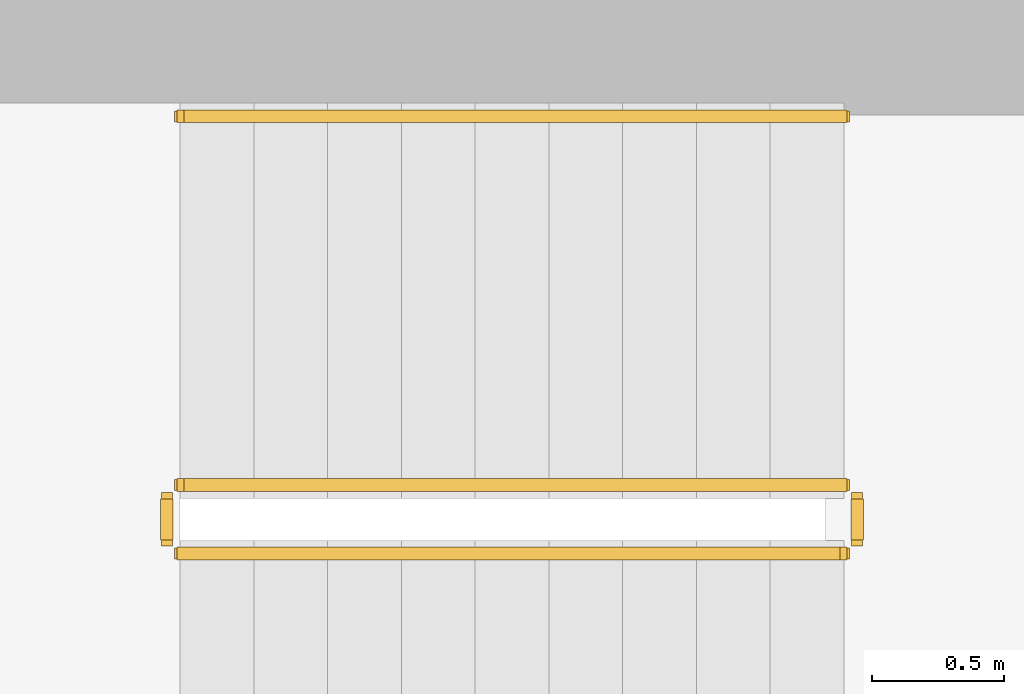
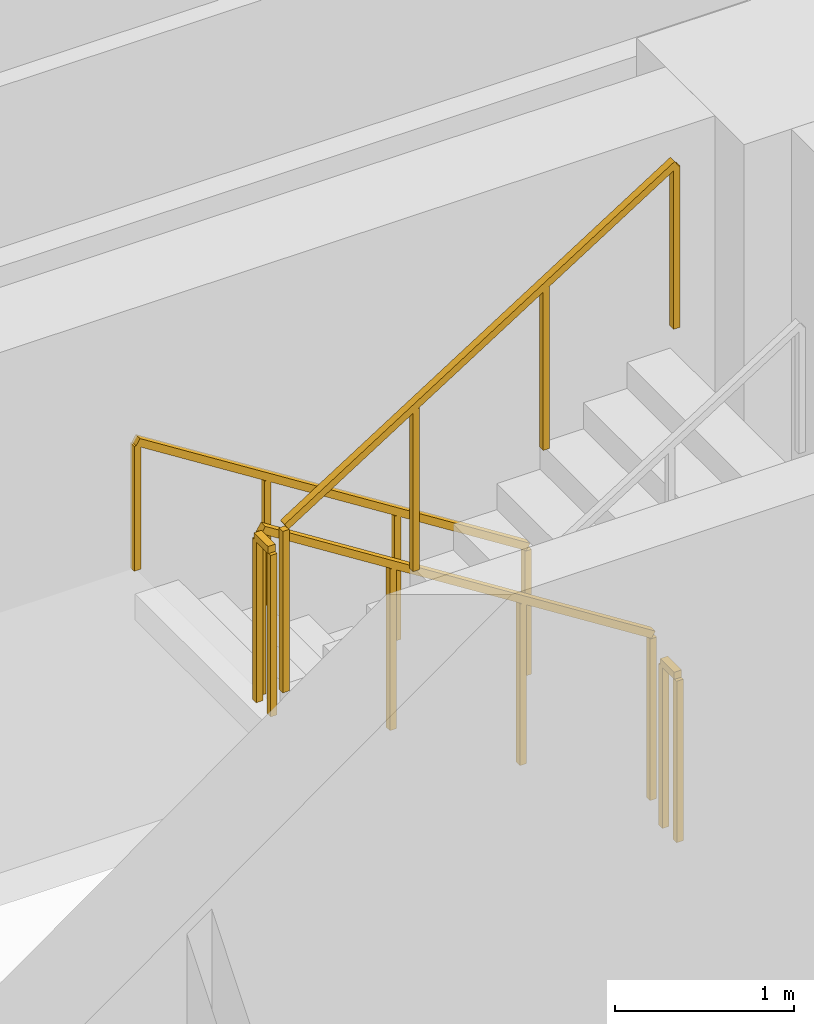
# One storey, part 11 of 12: 5 railings.
"""IFC4 building model written with IfcOpenShell, lengths in metres."""

from ifc_helpers import new_model, si_unit, direction, frame, origin, origin_2d, place, context, subcontext, project, spatial, rectangle, extrude, material, type_object, element, save


model = new_model("IFC4")

# Units and contexts
model_context = context("Model", 3, precision=1e-05, world=origin(), true_north=direction((0.0, 1.0)))
body_context = subcontext(model_context, "Body", "Model", "MODEL_VIEW")
ifc_project = project(units=[si_unit("LENGTHUNIT", "METRE"), si_unit("AREAUNIT", "SQUARE_METRE"), si_unit("VOLUMEUNIT", "CUBIC_METRE"), si_unit("PLANEANGLEUNIT", "RADIAN"), si_unit("MASSUNIT", "GRAM", prefix="KILO")], contexts=[model_context])

# Site, building, storey
site_placement = place(None, origin())
site = spatial("IfcSite", under=ifc_project, at=site_placement, CompositionType="ELEMENT")
building_placement = place(site_placement, origin())
building = spatial("IfcBuilding", under=site, at=building_placement, Name="Zarnavel Station Tower", CompositionType="ELEMENT")
storey_placement = place(building_placement, frame((0.0, 0.0, 173.199951171875)))
storey = spatial("IfcBuildingStorey", under=building, at=storey_placement, Name="L47", CompositionType="ELEMENT", Elevation=173.199951171875)

# Railings
ifc_material_1 = material(Name="Painted Steel S355J2 Balustrade", Category="steel")
railing_type_1 = type_object("IfcRailingType", Name="GR_INT_1150", PredefinedType="GUARDRAIL", material=ifc_material_1)
railing_1_placement = place(storey_placement, frame((19.47998046875, 35.3701171875, 0.177490234375)))
element("IfcRailing", 1, at=railing_1_placement, inside=storey, type_object=railing_type_1, Name="L47 ST1 stair guard 1", PredefinedType="GUARDRAIL", context=body_context, shape_type="SweptSolid", body=[
    extrude(rectangle(XDim=0.048095703125, YDim=0.048095703125, at=origin_2d()), frame((-0.001708984375, 0.0, 1.126953125), z_axis=(-0.84456994832, 0.0, 0.535445237532), x_axis=(0.0, -1.0, 0.0)), (0.0, 0.0, 1.0), 2.979736328125),
    extrude(rectangle(XDim=0.0419921875, YDim=0.0419921875, at=origin_2d()), origin(), (0.0, 0.0, 1.0), 1.101806640625),
    extrude(rectangle(XDim=0.0419921875, YDim=0.0419921875, at=origin_2d()), frame((-0.840087890625, 0.0, 0.532470703125)), (0.0, 0.0, 1.0), 1.101806640625),
    extrude(rectangle(XDim=0.0419921875, YDim=0.0419921875, at=origin_2d()), frame((-1.679931640625, 0.0, 1.065185546875)), (0.0, 0.0, 1.0), 1.101806640625),
    extrude(rectangle(XDim=0.0419921875, YDim=0.0419921875, at=origin_2d()), frame((-2.52001953125, 0.0, 1.59765625)), (0.0, 0.0, 1.0), 1.101806640625),
])
railing_2_placement = place(storey_placement, frame((16.909912109375, 35.320068359375, 1.775146484375)))
element("IfcRailing", 2, at=railing_2_placement, inside=storey, type_object=railing_type_1, Name="L47 ST1 stair guard 2", PredefinedType="GUARDRAIL", context=body_context, shape_type="SweptSolid", body=[
    extrude(rectangle(XDim=0.048095703125, YDim=0.048095703125, at=origin_2d()), frame((0.0, -0.001953125, 1.1259765625), z_axis=(0.0, -1.0, 0.0), x_axis=(1.0, 0.0, 0.0)), (0.0, 0.0, 1.0), 0.15625),
    extrude(rectangle(XDim=0.0419921875, YDim=0.0419921875, at=origin_2d()), origin(), (0.0, 0.0, 1.0), 1.101806640625),
    extrude(rectangle(XDim=0.0419921875, YDim=0.0419921875, at=origin_2d()), frame((0.0, -0.16015625, 0.0)), (0.0, 0.0, 1.0), 1.101806640625),
])
railing_3_placement = place(storey_placement, frame((16.9599609375, 35.110107421875, 1.95263671875)))
element("IfcRailing", 3, at=railing_3_placement, inside=storey, type_object=railing_type_1, Name="L47 ST1 stair guard 3", PredefinedType="GUARDRAIL", context=body_context, shape_type="SweptSolid", body=[
    extrude(rectangle(XDim=0.048095703125, YDim=0.048095703125, at=origin_2d()), frame((0.001708984375, 0.0, 1.126953125), z_axis=(0.84460694969, 0.0, 0.535386869969), x_axis=(0.0, 1.0, 0.0)), (0.0, 0.0, 1.0), 2.979736328125),
    extrude(rectangle(XDim=0.0419921875, YDim=0.0419921875, at=origin_2d()), origin(), (0.0, 0.0, 1.0), 1.101806640625),
    extrude(rectangle(XDim=0.0419921875, YDim=0.0419921875, at=origin_2d()), frame((0.840087890625, 0.0, 0.532470703125)), (0.0, 0.0, 1.0), 1.101806640625),
    extrude(rectangle(XDim=0.0419921875, YDim=0.0419921875, at=origin_2d()), frame((1.679931640625, 0.0, 1.06494140625)), (0.0, 0.0, 1.0), 1.101806640625),
    extrude(rectangle(XDim=0.0419921875, YDim=0.0419921875, at=origin_2d()), frame((2.52001953125, 0.0, 1.597412109375)), (0.0, 0.0, 1.0), 1.101806640625),
])
railing_4_placement = place(storey_placement, frame((19.530029296875, 35.320068359375, 0.0)))
element("IfcRailing", 4, at=railing_4_placement, inside=storey, type_object=railing_type_1, Name="L47 ST1 stair guard 4", PredefinedType="GUARDRAIL", context=body_context, shape_type="SweptSolid", body=[
    extrude(rectangle(XDim=0.048095703125, YDim=0.048095703125, at=origin_2d()), frame((0.0, -0.001953125, 1.1259765625), z_axis=(0.0, -1.0, 0.0), x_axis=(1.0, 0.0, 0.0)), (0.0, 0.0, 1.0), 0.15625),
    extrude(rectangle(XDim=0.0419921875, YDim=0.0419921875, at=origin_2d()), origin(), (0.0, 0.0, 1.0), 1.101806640625),
    extrude(rectangle(XDim=0.0419921875, YDim=0.0419921875, at=origin_2d()), frame((0.0, -0.16015625, 0.0)), (0.0, 0.0, 1.0), 1.101806640625),
])
ifc_material_2 = material(Name="Brushed Stainless Steel S355J2 Handrail", Category="steel")
railing_type_2 = type_object("IfcRailingType", Name="HR_STAIR_900", PredefinedType="HANDRAIL", material=ifc_material_2)
railing_5_placement = place(storey_placement, frame((19.47998046875, 36.77001953125, 0.177490234375)))
element("IfcRailing", 5, at=railing_5_placement, inside=storey, type_object=railing_type_2, Name="L47 ST1 stair handrail 1", PredefinedType="HANDRAIL", context=body_context, shape_type="SweptSolid", body=[
    extrude(rectangle(XDim=0.048095703125, YDim=0.048095703125, at=origin_2d()), frame((-0.001708984375, 0.0, 0.876953125), z_axis=(-0.84456994832, 0.0, 0.535445237532), x_axis=(0.0, -1.0, 0.0)), (0.0, 0.0, 1.0), 2.979736328125),
    extrude(rectangle(XDim=0.0419921875, YDim=0.0419921875, at=origin_2d()), origin(), (0.0, 0.0, 1.0), 0.851806640625),
    extrude(rectangle(XDim=0.0419921875, YDim=0.0419921875, at=origin_2d()), frame((-0.840087890625, 0.0, 0.532470703125)), (0.0, 0.0, 1.0), 0.851806640625),
    extrude(rectangle(XDim=0.0419921875, YDim=0.0419921875, at=origin_2d()), frame((-1.679931640625, 0.0, 1.065185546875)), (0.0, 0.0, 1.0), 0.851806640625),
    extrude(rectangle(XDim=0.0419921875, YDim=0.0419921875, at=origin_2d()), frame((-2.52001953125, 0.0, 1.59765625)), (0.0, 0.0, 1.0), 0.851806640625),
])

save(model, "model.ifc")
